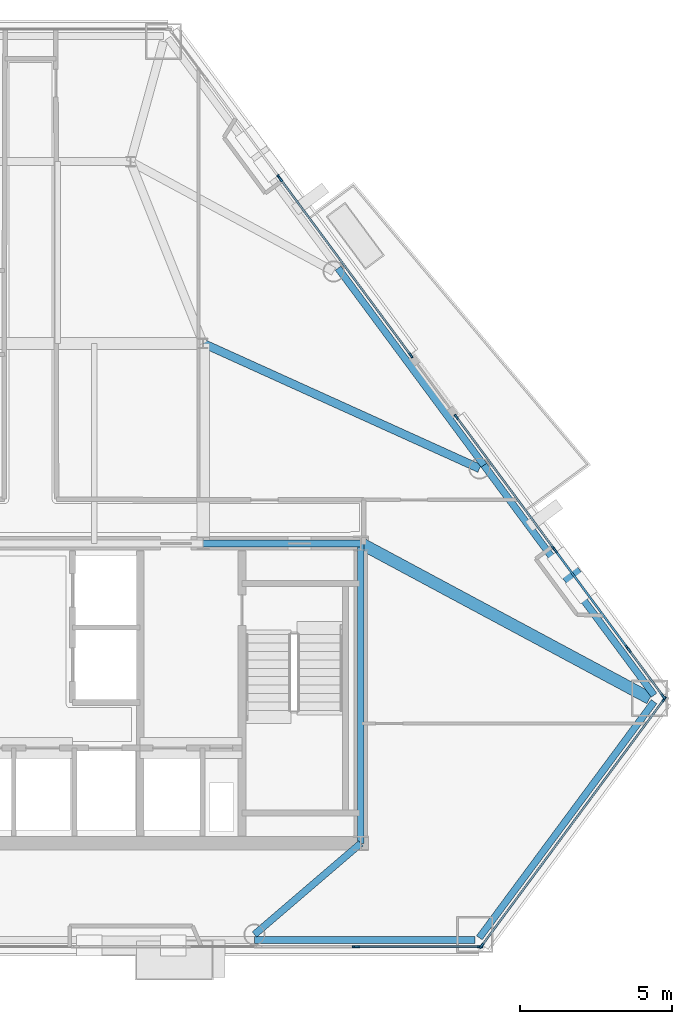
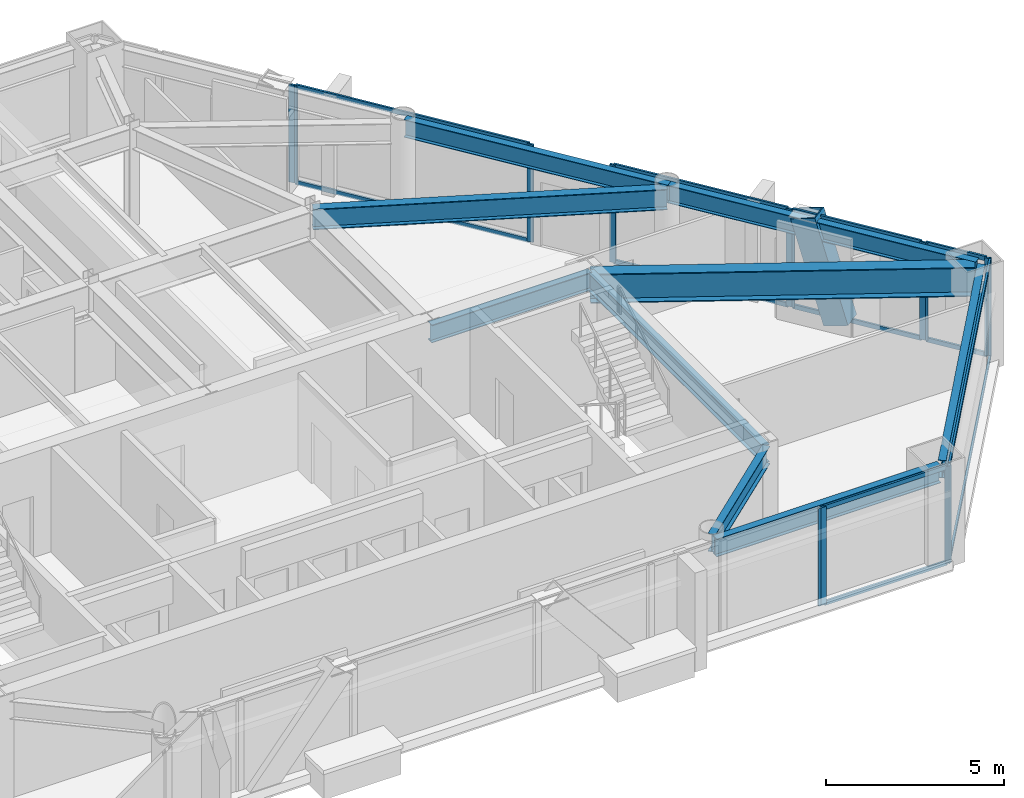
# One storey, part 6 of 13: 27 members, 9 beams, 8 elements without a shape of their own.
"""IFC4 building model written with IfcOpenShell, lengths in metres."""

from ifc_helpers import new_model, si_unit, direction, frame, origin, origin_2d, place, context, subcontext, project, spatial, rectangle, hollow_rectangle, i_section, extrude, material, layer, layer_set, material_profile, profile_set, type_object, element, aggregate, save


model = new_model("IFC4")

# Units and contexts
model_context = context("Model", 3, precision=1e-05, world=origin(), true_north=direction((0.0, 1.0)))
body_context = subcontext(model_context, "Body", "Model", "MODEL_VIEW")
ifc_project = project(units=[si_unit("LENGTHUNIT", "METRE"), si_unit("AREAUNIT", "SQUARE_METRE"), si_unit("VOLUMEUNIT", "CUBIC_METRE"), si_unit("PLANEANGLEUNIT", "RADIAN"), si_unit("MASSUNIT", "GRAM", prefix="KILO")], contexts=[model_context])

# Site, building, storey
site_placement = place(None, origin())
site = spatial("IfcSite", under=ifc_project, at=site_placement, CompositionType="ELEMENT")
building_placement = place(site_placement, origin())
building = spatial("IfcBuilding", under=site, at=building_placement, Name="Talgorran Terracotta Tower", CompositionType="ELEMENT")
storey_placement = place(building_placement, frame((0.0, 0.0, 106.800048828125)))
storey = spatial("IfcBuildingStorey", under=building, at=storey_placement, Name="L27", CompositionType="ELEMENT", Elevation=106.800048828125)

# Beams
ifc_material_1 = material(Name="Steel Grade 350 (350L0)", Category="steel")
ifc_material_profile_1 = material_profile(ifc_material_1, i_section(OverallWidth=0.39990234375, OverallDepth=1.0, WebThickness=0.01611328125, FlangeThickness=0.031005859375, at=origin_2d()), Name="1000WB296")
ifc_profile_set_1 = profile_set([ifc_material_profile_1], Name="Steel Grade 350 (350L0)")
beam_type_1 = type_object("IfcBeamType", Name="BM_1000WB296", PredefinedType="BEAM", material=ifc_profile_set_1)
beam_1_placement = place(storey_placement, frame((12.39990234375, -4.199951171875, 2.849853515625), z_axis=(0.88117219048, -0.472795485093, 0.0), x_axis=(0.472795485093, 0.88117219048, 0.0)))
element("IfcBeam", 1, at=beam_1_placement, inside=storey, type_object=beam_type_1, Name="L27 Floor Girder G18", PredefinedType="BEAM", context=body_context, shape_type="SweptSolid", body=[
    extrude(i_section(OverallWidth=0.39990234375, OverallDepth=1.0, WebThickness=0.01611328125, FlangeThickness=0.031005859375, at=origin_2d()), origin(), (0.0, 0.0, 1.0), 10.820068359375),
])
ifc_material_2 = material(Name="Steel S355 (300PLUS)", Category="steel")
ifc_material_profile_2 = material_profile(ifc_material_2, i_section(OverallWidth=0.27490234375, OverallDepth=0.7080078125, WebThickness=0.011962890625, FlangeThickness=0.02490234375, at=origin_2d()), Name="700WB173")
ifc_profile_set_2 = profile_set([ifc_material_profile_2], Name="Steel S355 (300PLUS)")
beam_type_2 = type_object("IfcBeamType", Name="BM_700WB173", PredefinedType="BEAM", material=ifc_profile_set_2)
beam_2_placement = place(storey_placement, frame((7.199951171875, 2.39990234375, 2.995849609375), z_axis=(0.910987725051, -0.412433467126, 0.0), x_axis=(0.412433467126, 0.910987725051, 0.0)))
element("IfcBeam", 2, at=beam_2_placement, inside=storey, type_object=beam_type_2, Name="L27 Floor Girder G07", PredefinedType="BEAM", context=body_context, shape_type="SweptSolid", body=[
    extrude(i_section(OverallWidth=0.27490234375, OverallDepth=0.7080078125, WebThickness=0.011962890625, FlangeThickness=0.02490234375, at=origin_2d()), origin(), (0.0, 0.0, 1.0), 10.010009765625),
])
ifc_material_profile_3 = material_profile(ifc_material_2, i_section(OverallWidth=0.22900390625, OverallDepth=0.611572265625, WebThickness=0.011962890625, FlangeThickness=0.01953125, at=origin_2d()), Name="610UB125")
ifc_profile_set_3 = profile_set([ifc_material_profile_3], Name="Steel S355 (300PLUS)")
beam_type_3 = type_object("IfcBeamType", Name="BM_SP_610UB125", PredefinedType="SPANDREL", material=ifc_profile_set_3)
beam_3_placement = place(storey_placement, frame((8.891845703125, -17.287841796875, 3.044189453125), z_axis=(1.0, 0.0, 0.0), x_axis=(0.0, 1.0, 0.0)))
element("IfcBeam", 3, at=beam_3_placement, inside=storey, type_object=beam_type_3, Name="L27 Perimeter Spandrel Beam FC2-MC3", PredefinedType="SPANDREL", context=body_context, shape_type="SweptSolid", body=[
    extrude(i_section(OverallWidth=0.22900390625, OverallDepth=0.611572265625, WebThickness=0.011962890625, FlangeThickness=0.01953125, at=origin_2d()), origin(), (0.0, 0.0, 1.0), 7.275146484375),
])
beam_4_placement = place(storey_placement, frame((16.311767578125, -17.21484375, 3.044189453125), z_axis=(0.594914928608, 0.803788671057, 0.0), x_axis=(-0.803788671057, 0.594914928608, 0.0)))
element("IfcBeam", 4, at=beam_4_placement, inside=storey, type_object=beam_type_3, Name="L27 Perimeter Spandrel Beam MC3-MC4", PredefinedType="SPANDREL", context=body_context, shape_type="SweptSolid", body=[
    extrude(i_section(OverallWidth=0.22900390625, OverallDepth=0.611572265625, WebThickness=0.011962890625, FlangeThickness=0.01953125, at=origin_2d()), origin(), (0.0, 0.0, 1.0), 9.6943359375),
])
beam_5_placement = place(storey_placement, frame((22.0791015625, -9.20849609375, 3.044189453125), z_axis=(-0.594926898508, 0.803779811535, 0.0), x_axis=(-0.803779811535, -0.594926898508, 0.0)))
element("IfcBeam", 5, at=beam_5_placement, inside=storey, type_object=beam_type_3, Name="L27 Perimeter Spandrel Beam MC4-FC3", PredefinedType="SPANDREL", context=body_context, shape_type="SweptSolid", body=[
    extrude(i_section(OverallWidth=0.22900390625, OverallDepth=0.611572265625, WebThickness=0.011962890625, FlangeThickness=0.01953125, at=origin_2d()), origin(), (0.0, 0.0, 1.0), 9.439453125),
])
beam_6_placement = place(storey_placement, frame((16.46337890625, -1.621337890625, 3.044189453125), z_axis=(-0.594899157913, 0.803800343316, 0.0), x_axis=(-0.803800343316, -0.594899157913, 0.0)))
element("IfcBeam", 6, at=beam_6_placement, inside=storey, type_object=beam_type_3, Name="L27 Perimeter Spandrel Beam FC3-FC4", PredefinedType="SPANDREL", context=body_context, shape_type="SweptSolid", body=[
    extrude(i_section(OverallWidth=0.22900390625, OverallDepth=0.611572265625, WebThickness=0.011962890625, FlangeThickness=0.01953125, at=origin_2d()), origin(), (0.0, 0.0, 1.0), 8.0908203125),
])
beam_7_placement = place(storey_placement, frame((12.39990234375, -14.10009765625, 3.044189453125), z_axis=(-0.759159629556, -0.650904491345, 0.0), x_axis=(0.650904491345, -0.759159629556, 0.0)))
element("IfcBeam", 7, at=beam_7_placement, inside=storey, type_object=beam_type_3, Name="L27 South-East Core Tie Beam", PredefinedType="SPANDREL", context=body_context, shape_type="SweptSolid", body=[
    extrude(i_section(OverallWidth=0.22900390625, OverallDepth=0.611572265625, WebThickness=0.011962890625, FlangeThickness=0.01953125, at=origin_2d()), origin(), (0.0, 0.0, 1.0), 4.62109375),
])
beam_8_placement = place(storey_placement, frame((12.39990234375, -14.10009765625, 3.044189453125), z_axis=(0.0, 1.0, 0.0), x_axis=(-1.0, 0.0, 0.0)))
element("IfcBeam", 8, at=beam_8_placement, inside=storey, type_object=beam_type_3, Name="L27 Core Frame Beam CFE", PredefinedType="SPANDREL", context=body_context, shape_type="SweptSolid", body=[
    extrude(i_section(OverallWidth=0.22900390625, OverallDepth=0.611572265625, WebThickness=0.011962890625, FlangeThickness=0.01953125, at=origin_2d()), origin(), (0.0, 0.0, 1.0), 9.900146484375),
])
beam_9_placement = place(storey_placement, frame((7.199951171875, -4.199951171875, 3.044189453125), z_axis=(1.0, 0.0, 0.0), x_axis=(0.0, 1.0, 0.0)))
element("IfcBeam", 9, at=beam_9_placement, inside=storey, type_object=beam_type_3, Name="L27 Core Frame Beam CFN4", PredefinedType="SPANDREL", context=body_context, shape_type="SweptSolid", body=[
    extrude(i_section(OverallWidth=0.22900390625, OverallDepth=0.611572265625, WebThickness=0.011962890625, FlangeThickness=0.01953125, at=origin_2d()), origin(), (0.0, 0.0, 1.0), 5.199951171875),
])

# Member
ifc_material_profile_4 = material_profile(ifc_material_1, hollow_rectangle(XDim=0.6201171875, YDim=0.780029296875, WallThickness=0.0419921875, at=origin_2d()), Name="WBOX780X620X42")
ifc_profile_set_4 = profile_set([ifc_material_profile_4], Name="Steel Grade 350 (350L0)")
member_type_1 = type_object("IfcMemberType", Name="MB_MEGA_780", PredefinedType="BRACE", material=ifc_profile_set_4)
member_1_placement = place(storey_placement, frame((19.674560546875, -5.6572265625, -0.025146484375), z_axis=(-0.170087742889, 0.229811108919, 0.958257279616), x_axis=(-0.803795867717, -0.594905205089, 0.0)))
element("IfcMember", 10, at=member_1_placement, inside=storey, type_object=member_type_1, Name="L27 Exterior Face Mega-Brace MB-2 (NEL)", PredefinedType="BRACE", context=body_context, shape_type="SweptSolid", body=[
    extrude(hollow_rectangle(XDim=0.6201171875, YDim=0.780029296875, WallThickness=0.0419921875, at=origin_2d()), origin(), (0.0, 0.0, 1.0), 3.54833984375),
])

# Curtain wall, member
ifc_material_3 = material(Name="Unitised Low-E Double Glazing", Category="glass")
ifc_layer = layer(ifc_material_3, 0.199951171875, Name="CW_SYS2_RES_LOW")
ifc_layer_set = layer_set([ifc_layer], Name="Unitised Low-E Double Glazing")
curtain_wall_type = type_object("IfcCurtainWallType", Name="CW_SYS2_RES_LOW", PredefinedType="NOTDEFINED", material=ifc_layer_set)
curtain_wall_1_placement = place(storey_placement, origin())
curtain_wall_1 = element("IfcCurtainWall", 11, at=curtain_wall_1_placement, inside=storey, type_object=curtain_wall_type, Name="CW-L27-F1H", PredefinedType="NOTDEFINED")
ifc_material_4 = material(Name="Architectural Aluminium 6063-T6", Category="aluminium")
ifc_material_profile_5 = material_profile(ifc_material_4, rectangle(XDim=0.06494140625, YDim=0.18505859375, at=origin_2d()), Name="CWM65X185")
ifc_profile_set_5 = profile_set([ifc_material_profile_5], Name="Architectural Aluminium 6063-T6")
member_type_2 = type_object("IfcMemberType", Name="MUL_65X185", PredefinedType="MULLION", material=ifc_profile_set_5)
member_2_placement = place(storey_placement, frame((12.206787109375, -17.5078125, 0.0), z_axis=(0.0, 0.0, 1.0), x_axis=(0.0, 1.0, 0.0)))
member_2 = element("IfcMember", 12, at=member_2_placement, type_object=member_type_2, Name="CW-L27-1H mullion 2", PredefinedType="MULLION", context=body_context, shape_type="SweptSolid", body=[
    extrude(rectangle(XDim=0.06494140625, YDim=0.18505859375, at=origin_2d()), origin(), (0.0, 0.0, 1.0), 3.349853515625),
])
aggregate(curtain_wall_1, [member_2])

# Curtain wall, members
curtain_wall_2_placement = place(storey_placement, origin())
curtain_wall_2 = element("IfcCurtainWall", 13, at=curtain_wall_2_placement, inside=storey, type_object=curtain_wall_type, Name="CW-L27-F1I", PredefinedType="NOTDEFINED")
member_3_placement = place(storey_placement, frame((12.281982421875, -17.5078125, 0.0), z_axis=(0.0, 0.0, 1.0), x_axis=(0.0, 1.0, 0.0)))
member_3 = element("IfcMember", 14, at=member_3_placement, type_object=member_type_2, Name="CW-L27-1I mullion 1", PredefinedType="MULLION", context=body_context, shape_type="SweptSolid", body=[
    extrude(rectangle(XDim=0.06494140625, YDim=0.18505859375, at=origin_2d()), origin(), (0.0, 0.0, 1.0), 3.349853515625),
])
member_4_placement = place(storey_placement, frame((16.336181640625, -17.5078125, 0.0), z_axis=(0.0, 0.0, 1.0), x_axis=(0.0, 1.0, 0.0)))
member_4 = element("IfcMember", 15, at=member_4_placement, type_object=member_type_2, Name="CW-L27-1I mullion 2", PredefinedType="MULLION", context=body_context, shape_type="SweptSolid", body=[
    extrude(rectangle(XDim=0.06494140625, YDim=0.18505859375, at=origin_2d()), origin(), (0.0, 0.0, 1.0), 3.349853515625),
])

curtain_wall_3_placement = place(storey_placement, origin())
curtain_wall_3 = element("IfcCurtainWall", 16, at=curtain_wall_3_placement, inside=storey, type_object=curtain_wall_type, Name="CW-L27-F2", PredefinedType="NOTDEFINED")
member_5_placement = place(storey_placement, frame((16.387939453125, -17.481689453125, 0.0), z_axis=(0.0, 0.0, 1.0), x_axis=(-0.803791602963, 0.594910967294, 0.0)))
member_5 = element("IfcMember", 17, at=member_5_placement, type_object=member_type_2, Name="CW-L27-2 mullion 1", PredefinedType="MULLION", context=body_context, shape_type="SweptSolid", body=[
    extrude(rectangle(XDim=0.06494140625, YDim=0.18505859375, at=origin_2d()), origin(), (0.0, 0.0, 1.0), 3.349853515625),
])
member_6_placement = place(storey_placement, frame((22.41259765625, -9.341796875, 0.0), z_axis=(0.0, 0.0, 1.0), x_axis=(-0.803791602963, 0.594910967294, 0.0)))
member_6 = element("IfcMember", 18, at=member_6_placement, type_object=member_type_2, Name="CW-L27-2 mullion 2", PredefinedType="MULLION", context=body_context, shape_type="SweptSolid", body=[
    extrude(rectangle(XDim=0.06494140625, YDim=0.18505859375, at=origin_2d()), origin(), (0.0, 0.0, 1.0), 3.349853515625),
])

curtain_wall_4_placement = place(storey_placement, origin())
curtain_wall_4 = element("IfcCurtainWall", 19, at=curtain_wall_4_placement, inside=storey, type_object=curtain_wall_type, Name="CW-L27-F40", PredefinedType="NOTDEFINED")
member_7_placement = place(storey_placement, frame((22.388671875, -9.25732421875, 0.0), z_axis=(0.0, 0.0, 1.0), x_axis=(-0.803795607852, -0.5949055562, 0.0)))
member_7 = element("IfcMember", 20, at=member_7_placement, type_object=member_type_2, Name="CW-L27-40 mullion 1", PredefinedType="MULLION", context=body_context, shape_type="SweptSolid", body=[
    extrude(rectangle(XDim=0.06494140625, YDim=0.18505859375, at=origin_2d()), origin(), (0.0, 0.0, 1.0), 3.349853515625),
])
member_8_placement = place(storey_placement, frame((21.24755859375, -7.71533203125, 0.0), z_axis=(0.0, 0.0, 1.0), x_axis=(-0.803795607852, -0.5949055562, 0.0)))
member_8 = element("IfcMember", 21, at=member_8_placement, type_object=member_type_2, Name="CW-L27-40 mullion 2", PredefinedType="MULLION", context=body_context, shape_type="SweptSolid", body=[
    extrude(rectangle(XDim=0.06494140625, YDim=0.18505859375, at=origin_2d()), origin(), (0.0, 0.0, 1.0), 3.349853515625),
])

curtain_wall_5_placement = place(storey_placement, origin())
curtain_wall_5 = element("IfcCurtainWall", 22, at=curtain_wall_5_placement, inside=storey, type_object=curtain_wall_type, Name="CW-L27-F40B", PredefinedType="NOTDEFINED")
member_9_placement = place(storey_placement, frame((21.202880859375, -7.655029296875, 0.0), z_axis=(0.0, 0.0, 1.0), x_axis=(-0.803791980442, -0.594910457276, 0.0)))
member_9 = element("IfcMember", 23, at=member_9_placement, type_object=member_type_2, Name="CW-L27-40B mullion 1", PredefinedType="MULLION", context=body_context, shape_type="SweptSolid", body=[
    extrude(rectangle(XDim=0.06494140625, YDim=0.18505859375, at=origin_2d()), origin(), (0.0, 0.0, 1.0), 3.349853515625),
])
member_10_placement = place(storey_placement, frame((18.81396484375, -4.42724609375, 0.0), z_axis=(0.0, 0.0, 1.0), x_axis=(-0.803791980442, -0.594910457276, 0.0)))
member_10 = element("IfcMember", 24, at=member_10_placement, type_object=member_type_2, Name="CW-L27-40B mullion 2", PredefinedType="MULLION", context=body_context, shape_type="SweptSolid", body=[
    extrude(rectangle(XDim=0.06494140625, YDim=0.18505859375, at=origin_2d()), origin(), (0.0, 0.0, 1.0), 3.349853515625),
])

curtain_wall_6_placement = place(storey_placement, origin())
curtain_wall_6 = element("IfcCurtainWall", 25, at=curtain_wall_6_placement, inside=storey, type_object=curtain_wall_type, Name="CW-L27-F40C", PredefinedType="NOTDEFINED")
member_11_placement = place(storey_placement, frame((18.769287109375, -4.366943359375, 0.0), z_axis=(0.0, 0.0, 1.0), x_axis=(-0.803795899139, -0.594905162634, 0.0)))
member_11 = element("IfcMember", 26, at=member_11_placement, type_object=member_type_2, Name="CW-L27-40C mullion 1", PredefinedType="MULLION", context=body_context, shape_type="SweptSolid", body=[
    extrude(rectangle(XDim=0.06494140625, YDim=0.18505859375, at=origin_2d()), origin(), (0.0, 0.0, 1.0), 3.349853515625),
])
member_12_placement = place(storey_placement, frame((15.554931640625, -0.02392578125, 0.0), z_axis=(0.0, 0.0, 1.0), x_axis=(-0.803795899139, -0.594905162634, 0.0)))
member_12 = element("IfcMember", 27, at=member_12_placement, type_object=member_type_2, Name="CW-L27-40C mullion 2", PredefinedType="MULLION", context=body_context, shape_type="SweptSolid", body=[
    extrude(rectangle(XDim=0.06494140625, YDim=0.18505859375, at=origin_2d()), origin(), (0.0, 0.0, 1.0), 3.349853515625),
])

curtain_wall_7_placement = place(storey_placement, origin())
curtain_wall_7 = element("IfcCurtainWall", 28, at=curtain_wall_7_placement, inside=storey, type_object=curtain_wall_type, Name="CW-L27-F41", PredefinedType="NOTDEFINED")
member_13_placement = place(storey_placement, frame((14.052978515625, 2.005615234375, 0.0), z_axis=(0.0, 0.0, 1.0), x_axis=(-0.803792510232, -0.59490974147, 0.0)))
member_13 = element("IfcMember", 29, at=member_13_placement, type_object=member_type_2, Name="CW-L27-41 mullion 1", PredefinedType="MULLION", context=body_context, shape_type="SweptSolid", body=[
    extrude(rectangle(XDim=0.06494140625, YDim=0.18505859375, at=origin_2d()), origin(), (0.0, 0.0, 1.0), 3.349853515625),
])
member_14_placement = place(storey_placement, frame((9.74853515625, 7.8212890625, 0.0), z_axis=(0.0, 0.0, 1.0), x_axis=(-0.803792510232, -0.59490974147, 0.0)))
member_14 = element("IfcMember", 30, at=member_14_placement, type_object=member_type_2, Name="CW-L27-41 mullion 2", PredefinedType="MULLION", context=body_context, shape_type="SweptSolid", body=[
    extrude(rectangle(XDim=0.06494140625, YDim=0.18505859375, at=origin_2d()), origin(), (0.0, 0.0, 1.0), 3.349853515625),
])

# Curtain wall, member
curtain_wall_8_placement = place(storey_placement, origin())
curtain_wall_8 = element("IfcCurtainWall", 31, at=curtain_wall_8_placement, inside=storey, type_object=curtain_wall_type, Name="CW-L27-F41B", PredefinedType="NOTDEFINED")
member_15_placement = place(storey_placement, frame((9.703857421875, 7.88134765625, 0.0), z_axis=(0.0, 0.0, 1.0), x_axis=(-0.803791980442, -0.594910457276, 0.0)))
member_15 = element("IfcMember", 32, at=member_15_placement, type_object=member_type_2, Name="CW-L27-41B mullion 1", PredefinedType="MULLION", context=body_context, shape_type="SweptSolid", body=[
    extrude(rectangle(XDim=0.06494140625, YDim=0.18505859375, at=origin_2d()), origin(), (0.0, 0.0, 1.0), 3.349853515625),
])
aggregate(curtain_wall_8, [member_15])

# Member
ifc_material_profile_6 = material_profile(ifc_material_4, rectangle(XDim=0.06494140625, YDim=0.14990234375, at=origin_2d()), Name="CWT65X150")
ifc_profile_set_6 = profile_set([ifc_material_profile_6], Name="Architectural Aluminium 6063-T6")
member_type_3 = type_object("IfcMemberType", Name="TRN_65X150", PredefinedType="USERDEFINED", material=ifc_profile_set_6)
member_16_placement = place(storey_placement, frame((12.314453125, -17.5078125, 0.032470703125), z_axis=(1.0, 0.0, 0.0), x_axis=(0.0, 1.0, 0.0)))
member_16 = element("IfcMember", 33, at=member_16_placement, type_object=member_type_3, Name="CW-L27-1I transom 1.1", ObjectType="TRANSOM", PredefinedType="USERDEFINED", context=body_context, shape_type="SweptSolid", body=[
    extrude(rectangle(XDim=0.06494140625, YDim=0.14990234375, at=origin_2d()), origin(), (0.0, 0.0, 1.0), 3.9892578125),
])

member_17_placement = place(storey_placement, frame((12.314453125, -17.5078125, 3.3173828125), z_axis=(1.0, 0.0, 0.0), x_axis=(0.0, 1.0, 0.0)))
member_17 = element("IfcMember", 34, at=member_17_placement, type_object=member_type_3, Name="CW-L27-1I transom 1.2", ObjectType="TRANSOM", PredefinedType="USERDEFINED", context=body_context, shape_type="SweptSolid", body=[
    extrude(rectangle(XDim=0.06494140625, YDim=0.14990234375, at=origin_2d()), origin(), (0.0, 0.0, 1.0), 3.9892578125),
])

aggregate(curtain_wall_2, [member_3, member_4, member_16, member_17])

member_18_placement = place(storey_placement, frame((16.4072265625, -17.45556640625, 0.032470703125), z_axis=(0.594921707511, 0.803783653686, 0.0), x_axis=(-0.803783653686, 0.594921707511, 0.0)))
member_18 = element("IfcMember", 35, at=member_18_placement, type_object=member_type_3, Name="CW-L27-2 transom 1.1", ObjectType="TRANSOM", PredefinedType="USERDEFINED", context=body_context, shape_type="SweptSolid", body=[
    extrude(rectangle(XDim=0.06494140625, YDim=0.14990234375, at=origin_2d()), origin(), (0.0, 0.0, 1.0), 10.06201171875),
])

member_19_placement = place(storey_placement, frame((16.4072265625, -17.45556640625, 3.3173828125), z_axis=(0.594921707511, 0.803783653686, 0.0), x_axis=(-0.803783653686, 0.594921707511, 0.0)))
member_19 = element("IfcMember", 36, at=member_19_placement, type_object=member_type_3, Name="CW-L27-2 transom 1.2", ObjectType="TRANSOM", PredefinedType="USERDEFINED", context=body_context, shape_type="SweptSolid", body=[
    extrude(rectangle(XDim=0.06494140625, YDim=0.14990234375, at=origin_2d()), origin(), (0.0, 0.0, 1.0), 10.06201171875),
])

aggregate(curtain_wall_3, [member_5, member_6, member_18, member_19])

member_20_placement = place(storey_placement, frame((22.369384765625, -9.231201171875, 0.032470703125), z_axis=(-0.59488726593, 0.803809144532, 0.0), x_axis=(-0.803809144532, -0.59488726593, 0.0)))
member_20 = element("IfcMember", 37, at=member_20_placement, type_object=member_type_3, Name="CW-L27-40 transom 1.1", ObjectType="TRANSOM", PredefinedType="USERDEFINED", context=body_context, shape_type="SweptSolid", body=[
    extrude(rectangle(XDim=0.06494140625, YDim=0.14990234375, at=origin_2d()), origin(), (0.0, 0.0, 1.0), 1.853271484375),
])

member_21_placement = place(storey_placement, frame((22.369384765625, -9.231201171875, 3.3173828125), z_axis=(-0.59488726593, 0.803809144532, 0.0), x_axis=(-0.803809144532, -0.59488726593, 0.0)))
member_21 = element("IfcMember", 38, at=member_21_placement, type_object=member_type_3, Name="CW-L27-40 transom 1.2", ObjectType="TRANSOM", PredefinedType="USERDEFINED", context=body_context, shape_type="SweptSolid", body=[
    extrude(rectangle(XDim=0.06494140625, YDim=0.14990234375, at=origin_2d()), origin(), (0.0, 0.0, 1.0), 1.853271484375),
])

aggregate(curtain_wall_4, [member_7, member_8, member_20, member_21])

member_22_placement = place(storey_placement, frame((21.18359375, -7.62890625, 0.032470703125), z_axis=(-0.594915676652, 0.8037881174, 0.0), x_axis=(-0.8037881174, -0.594915676652, 0.0)))
member_22 = element("IfcMember", 39, at=member_22_placement, type_object=member_type_3, Name="CW-L27-40B transom 1.1", ObjectType="TRANSOM", PredefinedType="USERDEFINED", context=body_context, shape_type="SweptSolid", body=[
    extrude(rectangle(XDim=0.06494140625, YDim=0.14990234375, at=origin_2d()), origin(), (0.0, 0.0, 1.0), 3.95068359375),
])

member_23_placement = place(storey_placement, frame((21.18359375, -7.62890625, 3.3173828125), z_axis=(-0.594915676652, 0.8037881174, 0.0), x_axis=(-0.8037881174, -0.594915676652, 0.0)))
member_23 = element("IfcMember", 40, at=member_23_placement, type_object=member_type_3, Name="CW-L27-40B transom 1.2", ObjectType="TRANSOM", PredefinedType="USERDEFINED", context=body_context, shape_type="SweptSolid", body=[
    extrude(rectangle(XDim=0.06494140625, YDim=0.14990234375, at=origin_2d()), origin(), (0.0, 0.0, 1.0), 3.95068359375),
])

aggregate(curtain_wall_5, [member_9, member_10, member_22, member_23])

member_24_placement = place(storey_placement, frame((18.75, -4.3408203125, 0.032470703125), z_axis=(-0.594887333729, 0.803809094356, 0.0), x_axis=(-0.803809094356, -0.594887333729, 0.0)))
member_24 = element("IfcMember", 41, at=member_24_placement, type_object=member_type_3, Name="CW-L27-40C transom 1.1", ObjectType="TRANSOM", PredefinedType="USERDEFINED", context=body_context, shape_type="SweptSolid", body=[
    extrude(rectangle(XDim=0.06494140625, YDim=0.14990234375, at=origin_2d()), origin(), (0.0, 0.0, 1.0), 5.338134765625),
])

member_25_placement = place(storey_placement, frame((18.75, -4.3408203125, 3.3173828125), z_axis=(-0.594887333729, 0.803809094356, 0.0), x_axis=(-0.803809094356, -0.594887333729, 0.0)))
member_25 = element("IfcMember", 42, at=member_25_placement, type_object=member_type_3, Name="CW-L27-40C transom 1.2", ObjectType="TRANSOM", PredefinedType="USERDEFINED", context=body_context, shape_type="SweptSolid", body=[
    extrude(rectangle(XDim=0.06494140625, YDim=0.14990234375, at=origin_2d()), origin(), (0.0, 0.0, 1.0), 5.338134765625),
])

aggregate(curtain_wall_6, [member_11, member_12, member_24, member_25])

member_26_placement = place(storey_placement, frame((14.033447265625, 2.03173828125, 0.032470703125), z_axis=(-0.594905047014, 0.803795984711, 0.0), x_axis=(-0.803795984711, -0.594905047014, 0.0)))
member_26 = element("IfcMember", 43, at=member_26_placement, type_object=member_type_3, Name="CW-L27-41 transom 1.1", ObjectType="TRANSOM", PredefinedType="USERDEFINED", context=body_context, shape_type="SweptSolid", body=[
    extrude(rectangle(XDim=0.06494140625, YDim=0.14990234375, at=origin_2d()), origin(), (0.0, 0.0, 1.0), 7.170166015625),
])

member_27_placement = place(storey_placement, frame((14.033447265625, 2.03173828125, 3.3173828125), z_axis=(-0.594905047014, 0.803795984711, 0.0), x_axis=(-0.803795984711, -0.594905047014, 0.0)))
member_27 = element("IfcMember", 44, at=member_27_placement, type_object=member_type_3, Name="CW-L27-41 transom 1.2", ObjectType="TRANSOM", PredefinedType="USERDEFINED", context=body_context, shape_type="SweptSolid", body=[
    extrude(rectangle(XDim=0.06494140625, YDim=0.14990234375, at=origin_2d()), origin(), (0.0, 0.0, 1.0), 7.170166015625),
])

aggregate(curtain_wall_7, [member_13, member_14, member_26, member_27])

save(model, "model.ifc")
